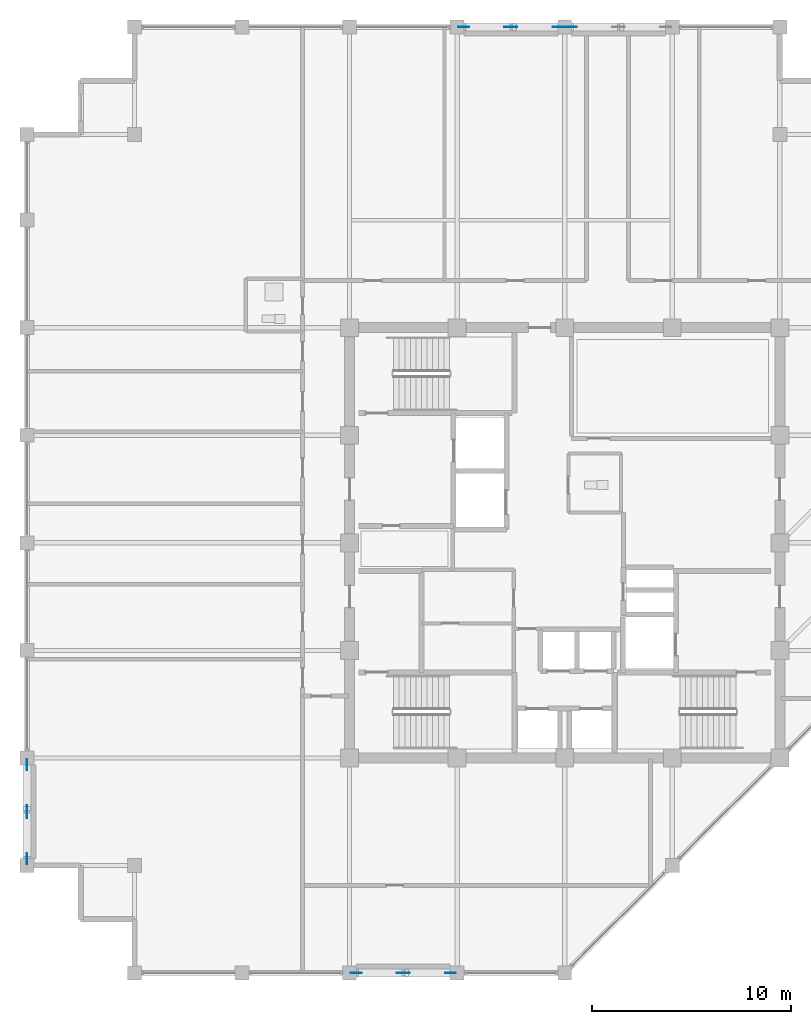
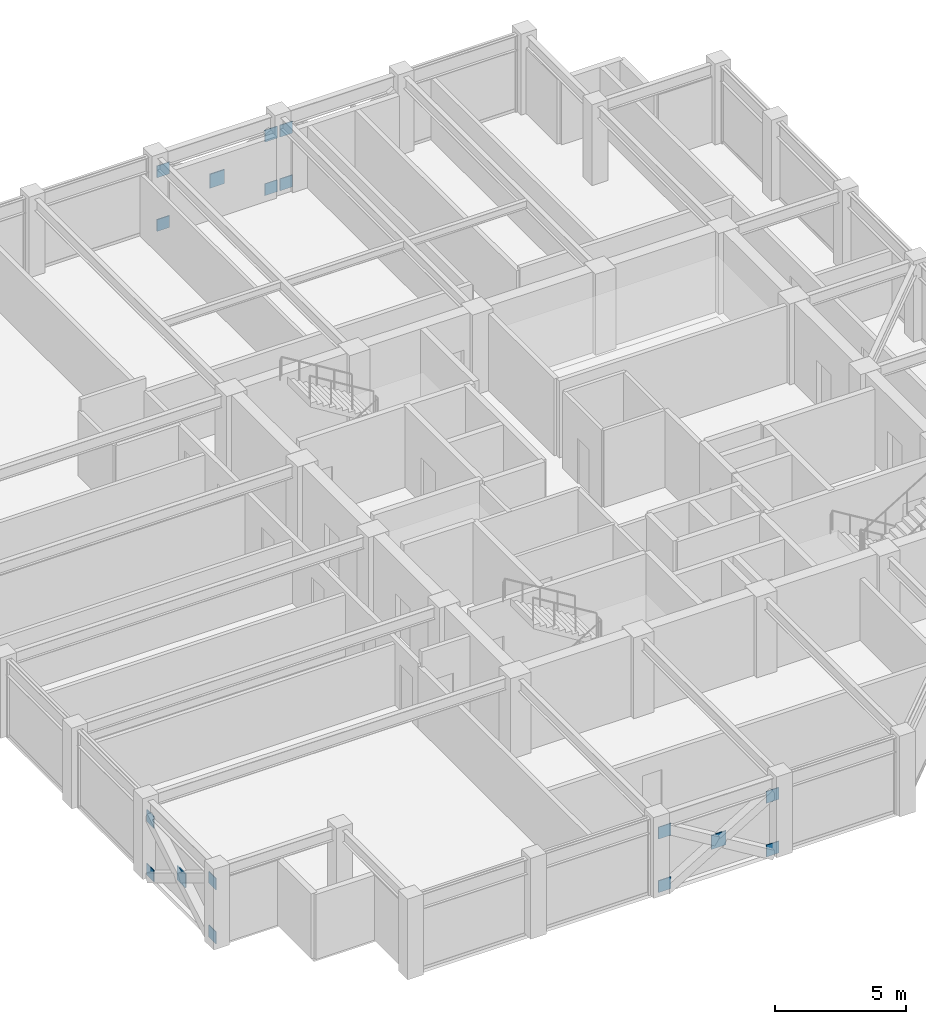
# One storey, part 24 of 30: 17 plates.
"""IFC4 building model written with IfcOpenShell, lengths in metres."""

from ifc_helpers import new_model, si_unit, direction, frame, origin, origin_2d, place, context, subcontext, project, spatial, rectangle, extrude, material, layer, layer_set, type_object, element, save


model = new_model("IFC4")

# Units and contexts
model_context = context("Model", 3, precision=1e-05, world=origin(), true_north=direction((0.0, 1.0)))
body_context = subcontext(model_context, "Body", "Model", "MODEL_VIEW")
ifc_project = project(units=[si_unit("LENGTHUNIT", "METRE"), si_unit("AREAUNIT", "SQUARE_METRE"), si_unit("VOLUMEUNIT", "CUBIC_METRE"), si_unit("PLANEANGLEUNIT", "RADIAN"), si_unit("MASSUNIT", "GRAM", prefix="KILO")], contexts=[model_context])

# Site, building, storey
site_placement = place(None, origin())
site = spatial("IfcSite", under=ifc_project, at=site_placement, CompositionType="ELEMENT")
building_placement = place(site_placement, origin())
building = spatial("IfcBuilding", under=site, at=building_placement, Name="Surkhivell Harbour Commons", CompositionType="ELEMENT")
storey_placement = place(building_placement, frame((0.0, 0.0, 296.25)))
storey = spatial("IfcBuildingStorey", under=building, at=storey_placement, Name="L77", CompositionType="ELEMENT", Elevation=296.25)

# Plates
ifc_material = material(Name="Steel S460", Category="steel")
ifc_layer_1 = layer(ifc_material, 0.035888671875)
ifc_layer_set_1 = layer_set([ifc_layer_1], Name="Steel S460")
plate_type_1 = type_object("IfcPlateType", Name="PLT-GUS-550", PredefinedType="USERDEFINED", material=ifc_layer_set_1)
for number, where, z_axis, x_axis, name in (
    (1, (-5.06494140625, 25.89990234375, -0.07470703125), (0.0, 0.0, 1.0), (1.0, 0.0, 0.0), "L77 Perimeter Mega-Brace MB- Corner Gusset N-1"),
    (2, (-0.3349609375, 25.89990234375, -0.07470703125), (0.0, 0.0, 1.0), (1.0, 0.0, 0.0), "L77 Perimeter Mega-Brace MB- Corner Gusset N-2"),
    (3, (-5.06494140625, 25.89990234375, 2.41357421875), (0.0, 0.0, 1.0), (1.0, 0.0, 0.0), "L77 Perimeter Mega-Brace MB- Corner Gusset N-3"),
    (4, (-0.3349609375, 25.89990234375, 2.41357421875), (0.0, 0.0, 1.0), (1.0, 0.0, 0.0), "L77 Perimeter Mega-Brace MB- Corner Gusset N-4"),
    (5, (0.3349609375, 25.89990234375, -0.07470703125), (0.0, 0.0, 1.0), (1.0, 0.0, 0.0), "L77 Perimeter Mega-Brace MB- Corner Gusset N2-1"),
    (6, (0.3349609375, 25.89990234375, 2.41357421875), (0.0, 0.0, 1.0), (1.0, 0.0, 0.0), "L77 Perimeter Mega-Brace MB- Corner Gusset N2-3"),
    (7, (-10.465087890625, -21.60009765625, -0.07470703125), (0.0, 0.0, 1.0), (1.0, 0.0, 0.0), "L77 Perimeter Mega-Brace MB- Corner Gusset S-1"),
    (8, (-5.735107421875, -21.60009765625, -0.07470703125), (0.0, 0.0, 1.0), (1.0, 0.0, 0.0), "L77 Perimeter Mega-Brace MB- Corner Gusset S-2"),
    (9, (-10.465087890625, -21.60009765625, 2.41357421875), (0.0, 0.0, 1.0), (1.0, 0.0, 0.0), "L77 Perimeter Mega-Brace MB- Corner Gusset S-3"),
    (10, (-5.735107421875, -21.60009765625, 2.41357421875), (0.0, 0.0, 1.0), (1.0, 0.0, 0.0), "L77 Perimeter Mega-Brace MB- Corner Gusset S-4"),
    (11, (-27.0, -15.864990234375, -0.07470703125), (0.0, 0.0, 1.0), (0.0, 1.0, 0.0), "L77 Perimeter Mega-Brace MB- Corner Gusset W-1"),
    (12, (-27.0, -11.135009765625, -0.07470703125), (0.0, 0.0, 1.0), (0.0, 1.0, 0.0), "L77 Perimeter Mega-Brace MB- Corner Gusset W-2"),
    (13, (-27.0, -15.864990234375, 2.41357421875), (0.0, 0.0, 1.0), (0.0, 1.0, 0.0), "L77 Perimeter Mega-Brace MB- Corner Gusset W-3"),
    (14, (-27.0, -11.135009765625, 2.41357421875), (0.0, 0.0, 1.0), (0.0, 1.0, 0.0), "L77 Perimeter Mega-Brace MB- Corner Gusset W-4"),
):
    element("IfcPlate", number, at=place(storey_placement, frame(where, z_axis=z_axis, x_axis=x_axis)), inside=storey, type_object=plate_type_1, Name=name, ObjectType="GUSSET_PLATE", PredefinedType="USERDEFINED", context=body_context, shape_type="SweptSolid", body=[
        extrude(rectangle(XDim=0.550048828125, YDim=0.035888671875, at=origin_2d()), origin(), (0.0, 0.0, 1.0), 0.550048828125),
    ])
ifc_layer_2 = layer(ifc_material, 0.044921875)
ifc_layer_set_2 = layer_set([ifc_layer_2], Name="Steel S460")
plate_type_2 = type_object("IfcPlateType", Name="PLT-GUS-650", PredefinedType="USERDEFINED", material=ifc_layer_set_2)
for number, where, z_axis, x_axis, name in (
    (15, (-2.699951171875, 25.89990234375, 1.11962890625), (0.0, 0.0, 1.0), (1.0, 0.0, 0.0), "L77 Perimeter Mega-Brace MB- Central Crossing Gusset N"),
    (16, (-8.10009765625, -21.60009765625, 1.11962890625), (0.0, 0.0, 1.0), (1.0, 0.0, 0.0), "L77 Perimeter Mega-Brace MB- Central Crossing Gusset S"),
    (17, (-27.0, -13.5, 1.11962890625), (0.0, 0.0, 1.0), (0.0, 1.0, 0.0), "L77 Perimeter Mega-Brace MB- Central Crossing Gusset W"),
):
    element("IfcPlate", number, at=place(storey_placement, frame(where, z_axis=z_axis, x_axis=x_axis)), inside=storey, type_object=plate_type_2, Name=name, ObjectType="GUSSET_PLATE", PredefinedType="USERDEFINED", context=body_context, shape_type="SweptSolid", body=[
        extrude(rectangle(XDim=0.64990234375, YDim=0.044921875, at=origin_2d()), origin(), (0.0, 0.0, 1.0), 0.64990234375),
    ])

save(model, "model.ifc")
